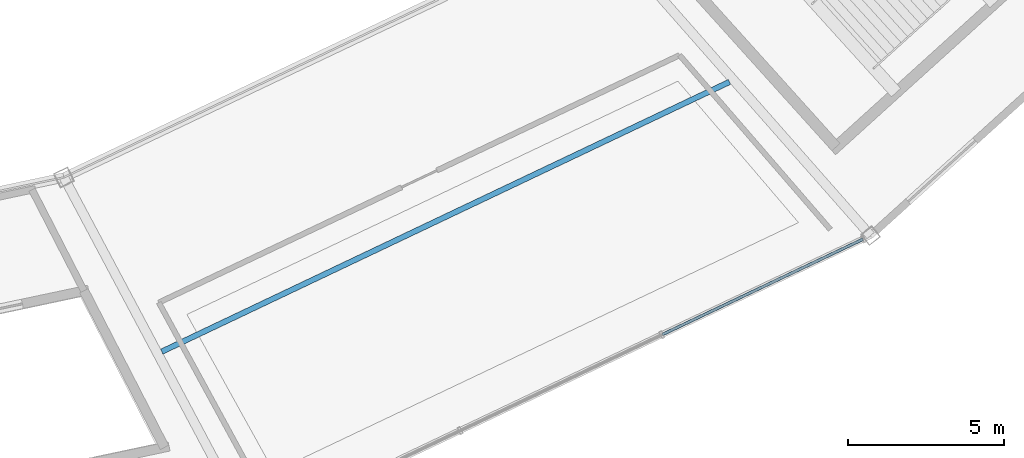
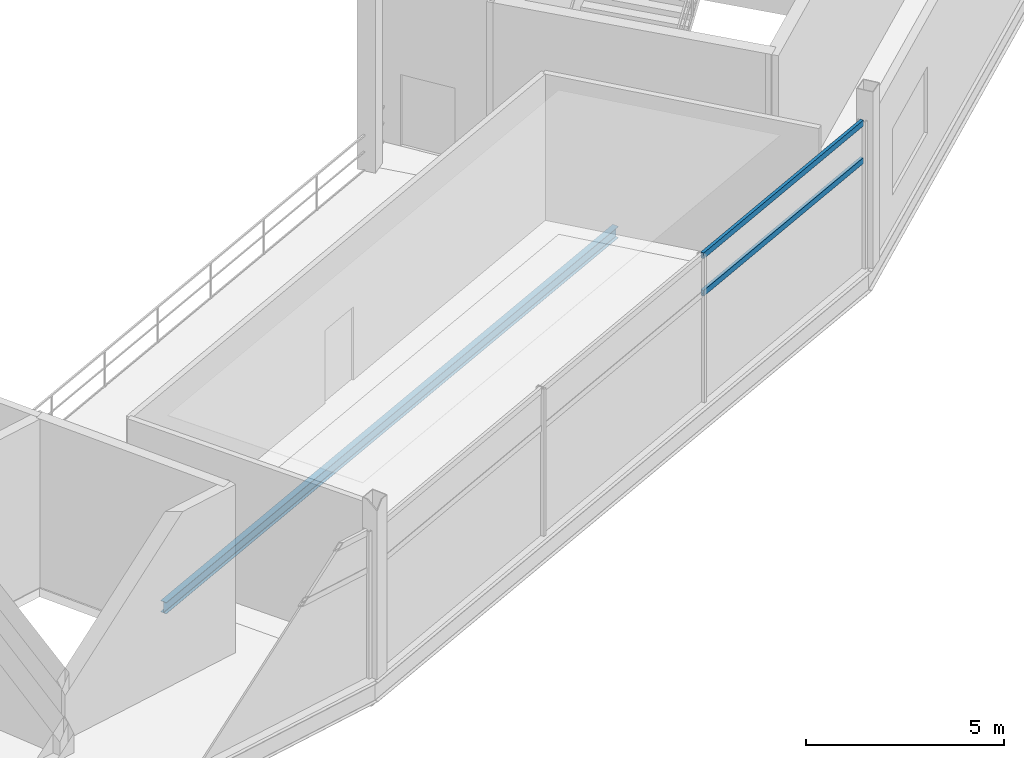
# One storey, part 45 of 103: 2 members, 1 beam, 1 element without a shape of its own.
"""IFC4 building model written with IfcOpenShell, lengths in metres."""

from ifc_helpers import new_model, si_unit, direction, frame, origin, origin_2d, place, context, subcontext, project, spatial, hollow_rectangle, i_section, extrude, material, layer, layer_set, material_profile, profile_set, type_object, element, aggregate, save


model = new_model("IFC4")

# Units and contexts
model_context = context("Model", 3, precision=1e-05, world=origin(), true_north=direction((0.0, 1.0)))
body_context = subcontext(model_context, "Body", "Model", "MODEL_VIEW")
ifc_project = project(units=[si_unit("LENGTHUNIT", "METRE"), si_unit("AREAUNIT", "SQUARE_METRE"), si_unit("VOLUMEUNIT", "CUBIC_METRE"), si_unit("PLANEANGLEUNIT", "RADIAN"), si_unit("MASSUNIT", "GRAM", prefix="KILO")], contexts=[model_context])

# Site, building, storey
site_placement = place(None, origin())
site = spatial("IfcSite", under=ifc_project, at=site_placement, CompositionType="ELEMENT")
building_placement = place(site_placement, origin())
building = spatial("IfcBuilding", under=site, at=building_placement, Name="Kazemori Nagisa Stadium", CompositionType="ELEMENT")
storey_placement = place(building_placement, frame((0.0, 0.0, 25.840087890625)))
storey = spatial("IfcBuildingStorey", under=building, at=storey_placement, Name="L05", CompositionType="ELEMENT", Elevation=25.840087890625)

# Beam
ifc_material_1 = material(Name="Steel SN490B", Category="steel")
ifc_material_profile_1 = material_profile(ifc_material_1, i_section(OverallWidth=0.175048828125, OverallDepth=0.35009765625, WebThickness=0.007080078125, FlangeThickness=0.010986328125, FilletRadius=0.012939453125, at=origin_2d()), Name="H-350x175x7x11")
ifc_profile_set_1 = profile_set([ifc_material_profile_1], Name="Steel SN490B")
beam_type = type_object("IfcBeamType", Name="Beam_BJ-H350", PredefinedType="JOIST", material=ifc_profile_set_1)
beam_placement = place(storey_placement, frame((162.939453125, 27.23046875, -0.43505859375), z_axis=(0.90321332486, 0.429191903228, 0.0), x_axis=(-0.429191903228, 0.90321332486, 0.0)))
element("IfcBeam", 1, at=beam_placement, inside=storey, type_object=beam_type, Name="Outer bay joist BJ-H350 L05 B24", PredefinedType="JOIST", context=body_context, shape_type="SweptSolid", body=[
    extrude(i_section(OverallWidth=0.175048828125, OverallDepth=0.35009765625, WebThickness=0.007080078125, FlangeThickness=0.010986328125, FilletRadius=0.012939453125, at=origin_2d()), origin(), (0.0, 0.0, 1.0), 20.09033203125),
])

# Curtain wall, members
ifc_material_2 = material(Name="Anodised aluminium 6063-T5", Category="aluminium")
ifc_layer = layer(ifc_material_2, 0.239990234375, Name="Anodised aluminium 6063-T5", Category="aluminium")
ifc_layer_set = layer_set([ifc_layer], Name="Anodised aluminium 6063-T5")
curtain_wall_type = type_object("IfcCurtainWallType", Name="CW_L05R3_107", PredefinedType="USERDEFINED", material=ifc_layer_set)
curtain_wall_placement = place(storey_placement, origin())
curtain_wall = element("IfcCurtainWall", 2, at=curtain_wall_placement, inside=storey, type_object=curtain_wall_type, Name="Unitised curtain wall CW-L05R3-107 L05", ObjectType="UNITISED CURTAIN WALL", PredefinedType="USERDEFINED")
ifc_material_3 = material(Name="Aluminium 6063-T5 anodised", Category="aluminium")
ifc_material_profile_2 = material_profile(ifc_material_3, hollow_rectangle(XDim=0.090087890625, YDim=0.179931640625, WallThickness=0.0048828125, at=origin_2d()), Name="ALU-TRAN-90x180x5")
ifc_profile_set_2 = profile_set([ifc_material_profile_2], Name="Aluminium 6063-T5 anodised")
member_type = type_object("IfcMemberType", Name="Transom_T03", PredefinedType="USERDEFINED", material=ifc_profile_set_2)
member_1_placement = place(storey_placement, frame((178.94140625, 27.778076171875, 3.306884765625), z_axis=(0.903221484367, 0.429174731523, 0.0), x_axis=(-0.429174731523, 0.903221484367, 0.0)))
member_1 = element("IfcMember", 3, at=member_1_placement, type_object=member_type, Name="Curtain wall transom CW-L05R3-107-T3-mid", ObjectType="TRANSOM", PredefinedType="USERDEFINED", context=body_context, shape_type="SweptSolid", body=[
    extrude(hollow_rectangle(XDim=0.090087890625, YDim=0.179931640625, WallThickness=0.0048828125, at=origin_2d()), origin(), (0.0, 0.0, 1.0), 7.0947265625),
])
member_2_placement = place(storey_placement, frame((178.94140625, 27.778076171875, 4.4599609375), z_axis=(0.903221484367, 0.429174731523, 0.0), x_axis=(-0.429174731523, 0.903221484367, 0.0)))
member_2 = element("IfcMember", 4, at=member_2_placement, type_object=member_type, Name="Curtain wall transom CW-L05R3-107-T3-head", ObjectType="TRANSOM", PredefinedType="USERDEFINED", context=body_context, shape_type="SweptSolid", body=[
    extrude(hollow_rectangle(XDim=0.090087890625, YDim=0.179931640625, WallThickness=0.0048828125, at=origin_2d()), origin(), (0.0, 0.0, 1.0), 7.0947265625),
])
aggregate(curtain_wall, [member_1, member_2])

save(model, "model.ifc")
